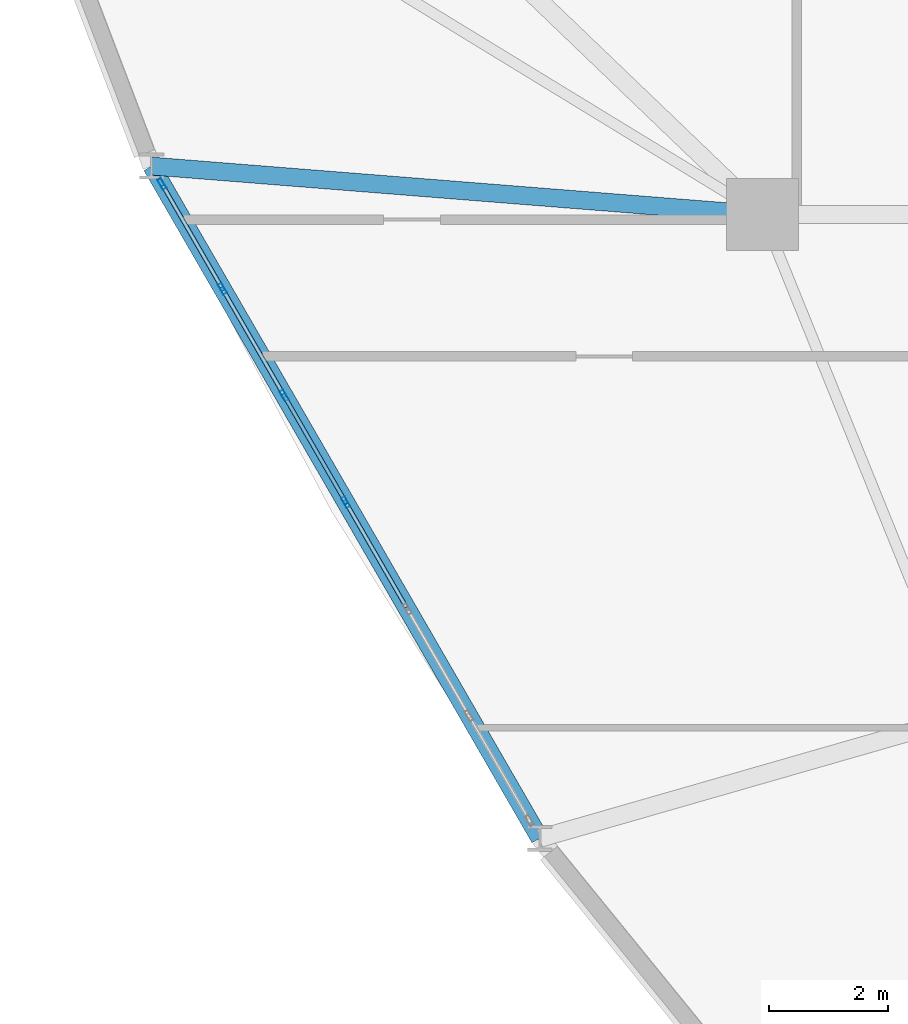
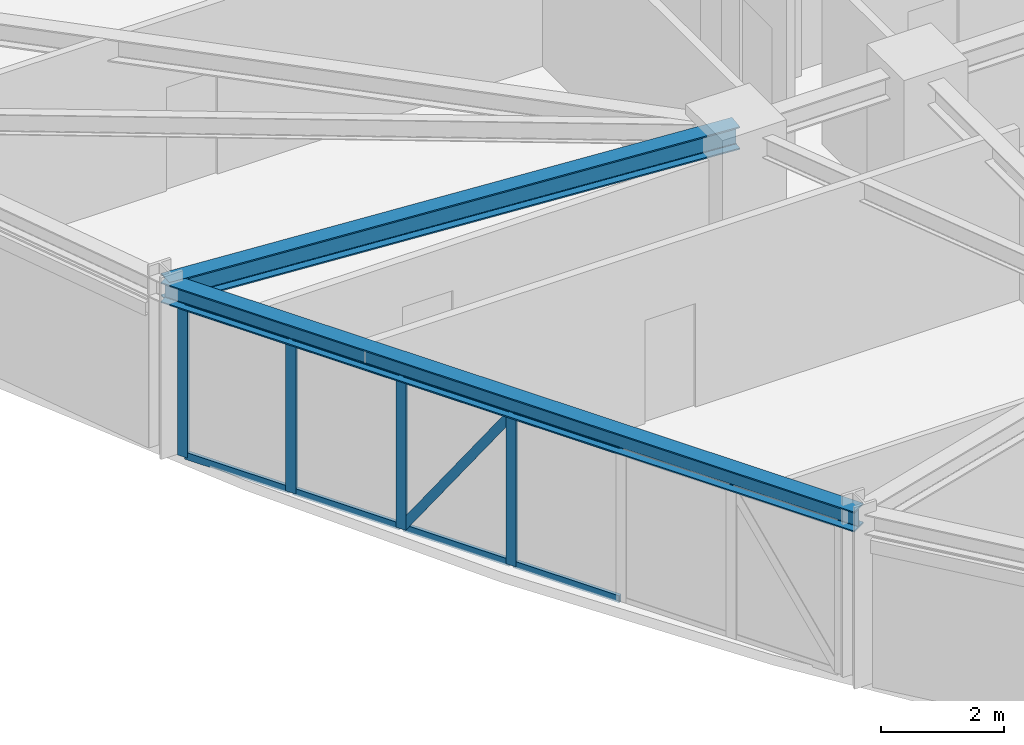
# One storey, part 4 of 15: 13 members, 2 beams, 1 element without a shape of its own.
"""IFC4 building model written with IfcOpenShell, lengths in metres."""

from ifc_helpers import new_model, si_unit, derived_unit, direction, frame, origin, origin_2d, place, context, subcontext, project, spatial, hollow_rectangle, i_section, extrude, source, transform, mapped, material, layer, layer_set, material_profile, profile_set, type_object, element, aggregate, save


model = new_model("IFC4")

# Units and contexts
model_context = context("Model", 3, precision=1e-05, world=origin(), true_north=direction((0.0, 1.0)))
body_context = subcontext(model_context, "Body", "Model", "MODEL_VIEW")
ifc_project = project(units=[si_unit("LENGTHUNIT", "METRE"), si_unit("AREAUNIT", "SQUARE_METRE"), si_unit("VOLUMEUNIT", "CUBIC_METRE"), si_unit("PLANEANGLEUNIT", "RADIAN"), si_unit("MASSUNIT", "GRAM", prefix="KILO"), derived_unit("THERMALTRANSMITTANCEUNIT", [(si_unit("POWERUNIT", "WATT"), 1), (si_unit("LENGTHUNIT", "METRE"), -2), (si_unit("THERMODYNAMICTEMPERATUREUNIT", "KELVIN"), -1)])], contexts=[model_context])

# Site, building, storey
site_placement = place(None, origin())
site = spatial("IfcSite", under=ifc_project, at=site_placement, CompositionType="ELEMENT")
building_placement = place(site_placement, origin())
building = spatial("IfcBuilding", under=site, at=building_placement, Name="Korsvarv Bourse and Concert Hall", CompositionType="ELEMENT")
storey_placement = place(building_placement, frame((0.0, 0.0, 147.0)))
storey = spatial("IfcBuildingStorey", under=building, at=storey_placement, Name="L37", CompositionType="ELEMENT", Elevation=147.0)

# Beams
ifc_material_1 = material(Name="Steel S355", Category="steel")
ifc_material_profile_1 = material_profile(ifc_material_1, i_section(OverallWidth=0.300048828125, OverallDepth=0.39990234375, WebThickness=0.013427734375, FlangeThickness=0.02392578125, FilletRadius=0.02099609375, at=origin_2d()), Name="HEB 400")
ifc_profile_set_1 = profile_set([ifc_material_profile_1], Name="Steel S355")
beam_type_1 = type_object("IfcBeamType", Name="BM-HEB400", PredefinedType="SPANDREL", material=ifc_profile_set_1)
shared_shape_1 = source(origin(), body_context, "Body", "SweptSolid", [
    extrude(i_section(OverallWidth=0.300048828125, OverallDepth=0.39990234375, WebThickness=0.013427734375, FlangeThickness=0.02392578125, FilletRadius=0.02099609375, at=origin_2d()), origin(), (0.0, 0.0, 1.0), 13.001708984375),
])
beam_1_placement = place(storey_placement, frame((13.96875, 33.211669921875, 3.199951171875), z_axis=(0.499994445327, -0.866028610752, 0.0), x_axis=(0.866028610752, 0.499994445327, 0.0)))
element("IfcBeam", 1, at=beam_1_placement, inside=storey, type_object=beam_type_1, Name="L37 beam B-09", PredefinedType="SPANDREL", context=body_context, shape_type="MappedRepresentation", body=[
    mapped(shared_shape_1, transform((0.0, 0.0, 0.0), scale=1.0)),
])
ifc_material_profile_2 = material_profile(ifc_material_1, i_section(OverallWidth=0.300048828125, OverallDepth=0.449951171875, WebThickness=0.013916015625, FlangeThickness=0.02587890625, FilletRadius=0.02099609375, at=origin_2d()), Name="HEB 450")
ifc_profile_set_2 = profile_set([ifc_material_profile_2], Name="Steel S355")
beam_type_2 = type_object("IfcBeamType", Name="BM-HEB450", PredefinedType="SPANDREL", material=ifc_profile_set_2)
shared_shape_2 = source(origin(), body_context, "Body", "SweptSolid", [
    extrude(i_section(OverallWidth=0.300048828125, OverallDepth=0.449951171875, WebThickness=0.013916015625, FlangeThickness=0.02587890625, FilletRadius=0.02099609375, at=origin_2d()), origin(), (0.0, 0.0, 1.0), 10.263427734375),
])
beam_2_placement = place(storey_placement, frame((13.96875, 33.211669921875, 3.175048828125), z_axis=(0.996867179073, -0.079093787921, 0.0), x_axis=(0.079093787921, 0.996867179073, 0.0)))
element("IfcBeam", 2, at=beam_2_placement, inside=storey, type_object=beam_type_2, Name="L37 beam B-08", PredefinedType="SPANDREL", context=body_context, shape_type="MappedRepresentation", body=[
    mapped(shared_shape_2, transform((0.0, 0.0, 0.0), scale=1.0)),
])

# Curtain wall, members
ifc_material_2 = material(Name="Anodised aluminium and triple low-E glazing", Category="glass")
ifc_layer = layer(ifc_material_2, 0.2099609375)
ifc_layer_set = layer_set([ifc_layer], Name="Anodised aluminium and triple low-E glazing")
curtain_wall_type = type_object("IfcCurtainWallType", Name="CW-SYS-2", PredefinedType="NOTDEFINED", material=ifc_layer_set)
curtain_wall_placement = place(storey_placement, origin())
curtain_wall = element("IfcCurtainWall", 3, at=curtain_wall_placement, inside=storey, type_object=curtain_wall_type, Name="L37 CW2 curtain wall CW-L37-F07", PredefinedType="NOTDEFINED")
ifc_material_3 = material(Name="Extruded aluminium EN AW-6063 T66", Category="aluminium")
ifc_material_profile_3 = material_profile(ifc_material_3, hollow_rectangle(XDim=0.070068359375, YDim=0.18994140625, WallThickness=0.0048828125, at=origin_2d()), Name="ALU-M 70x190")
ifc_profile_set_3 = profile_set([ifc_material_profile_3], Name="Extruded aluminium EN AW-6063 T66")
member_type_1 = type_object("IfcMemberType", Name="CWM-190", PredefinedType="MULLION", material=ifc_profile_set_3)
shared_shape_3 = source(origin(), body_context, "Body", "SweptSolid", [
    extrude(hollow_rectangle(XDim=0.070068359375, YDim=0.18994140625, WallThickness=0.0048828125, at=origin_2d()), origin(), (0.0, 0.0, 1.0), 3.0),
])
member_1_placement = place(storey_placement, frame((14.140625, 32.913818359375, 0.0), z_axis=(0.0, 0.0, 1.0), x_axis=(0.866022202013, 0.500005545591, 0.0)))
member_1 = element("IfcMember", 4, at=member_1_placement, type_object=member_type_1, Name="CW2 mullion 1", PredefinedType="MULLION", context=body_context, shape_type="MappedRepresentation", body=[
    mapped(shared_shape_3, transform((0.0, 0.0, 0.0), scale=1.0)),
])
member_2_placement = place(storey_placement, frame((15.1552734375, 31.15673828125, 0.0), z_axis=(0.0, 0.0, 1.0), x_axis=(0.866022202013, 0.500005545591, 0.0)))
member_2 = element("IfcMember", 5, at=member_2_placement, type_object=member_type_1, Name="CW2 mullion 2", PredefinedType="MULLION", context=body_context, shape_type="MappedRepresentation", body=[
    mapped(shared_shape_3, transform((0.0, 0.0, 0.0), scale=1.0)),
])
member_3_placement = place(storey_placement, frame((16.187255859375, 29.369140625, 0.0), z_axis=(0.0, 0.0, 1.0), x_axis=(0.866022202013, 0.500005545591, 0.0)))
member_3 = element("IfcMember", 6, at=member_3_placement, type_object=member_type_1, Name="CW2 mullion 3", PredefinedType="MULLION", context=body_context, shape_type="MappedRepresentation", body=[
    mapped(shared_shape_3, transform((0.0, 0.0, 0.0), scale=1.0)),
])
member_4_placement = place(storey_placement, frame((17.21923828125, 27.581787109375, 0.0), z_axis=(0.0, 0.0, 1.0), x_axis=(0.866022202013, 0.500005545591, 0.0)))
member_4 = element("IfcMember", 7, at=member_4_placement, type_object=member_type_1, Name="CW2 mullion 4", PredefinedType="MULLION", context=body_context, shape_type="MappedRepresentation", body=[
    mapped(shared_shape_3, transform((0.0, 0.0, 0.0), scale=1.0)),
])
ifc_material_profile_4 = material_profile(ifc_material_3, hollow_rectangle(XDim=0.06494140625, YDim=0.139892578125, WallThickness=0.00390625, at=origin_2d()), Name="ALU-T 65x140")
ifc_profile_set_4 = profile_set([ifc_material_profile_4], Name="Extruded aluminium EN AW-6063 T66")
member_type_2 = type_object("IfcMemberType", Name="CWT-140", PredefinedType="USERDEFINED", material=ifc_profile_set_4)
shared_shape_4 = source(origin(), body_context, "Body", "SweptSolid", [
    extrude(hollow_rectangle(XDim=0.06494140625, YDim=0.139892578125, WallThickness=0.00390625, at=origin_2d()), origin(), (0.0, 0.0, 1.0), 1.958984375),
])
member_5_placement = place(storey_placement, frame((14.158203125, 32.883544921875, 0.032470703125), z_axis=(0.499999343788, -0.866025782648, 0.0), x_axis=(0.866025782648, 0.499999343788, 0.0)))
member_5 = element("IfcMember", 8, at=member_5_placement, type_object=member_type_2, Name="CW2 transom 1.1", ObjectType="TRANSOM", PredefinedType="USERDEFINED", context=body_context, shape_type="MappedRepresentation", body=[
    mapped(shared_shape_4, transform((0.0, 0.0, 0.0), scale=1.0)),
])
member_6_placement = place(storey_placement, frame((14.158203125, 32.883544921875, 2.967529296875), z_axis=(0.499999343788, -0.866025782648, 0.0), x_axis=(0.866025782648, 0.499999343788, 0.0)))
member_6 = element("IfcMember", 9, at=member_6_placement, type_object=member_type_2, Name="CW2 transom 1.2", ObjectType="TRANSOM", PredefinedType="USERDEFINED", context=body_context, shape_type="MappedRepresentation", body=[
    mapped(shared_shape_4, transform((0.0, 0.0, 0.0), scale=1.0)),
])
shared_shape_5 = source(origin(), body_context, "Body", "SweptSolid", [
    extrude(hollow_rectangle(XDim=0.06494140625, YDim=0.139892578125, WallThickness=0.00390625, at=origin_2d()), origin(), (0.0, 0.0, 1.0), 1.993896484375),
])
member_7_placement = place(storey_placement, frame((15.172607421875, 31.126220703125, 0.032470703125), z_axis=(0.500036872922, -0.866004114147, 0.0), x_axis=(0.866004114147, 0.500036872922, 0.0)))
member_7 = element("IfcMember", 10, at=member_7_placement, type_object=member_type_2, Name="CW2 transom 2.1", ObjectType="TRANSOM", PredefinedType="USERDEFINED", context=body_context, shape_type="MappedRepresentation", body=[
    mapped(shared_shape_5, transform((0.0, 0.0, 0.0), scale=1.0)),
])
member_8_placement = place(storey_placement, frame((15.172607421875, 31.126220703125, 2.967529296875), z_axis=(0.500036872922, -0.866004114147, 0.0), x_axis=(0.866004114147, 0.500036872922, 0.0)))
member_8 = element("IfcMember", 11, at=member_8_placement, type_object=member_type_2, Name="CW2 transom 2.2", ObjectType="TRANSOM", PredefinedType="USERDEFINED", context=body_context, shape_type="MappedRepresentation", body=[
    mapped(shared_shape_5, transform((0.0, 0.0, 0.0), scale=1.0)),
])
member_9_placement = place(storey_placement, frame((16.20458984375, 29.3388671875, 0.032470703125), z_axis=(0.500036872922, -0.866004114147, 0.0), x_axis=(0.866004114147, 0.500036872922, 0.0)))
member_9 = element("IfcMember", 12, at=member_9_placement, type_object=member_type_2, Name="CW2 transom 3.1", ObjectType="TRANSOM", PredefinedType="USERDEFINED", context=body_context, shape_type="MappedRepresentation", body=[
    mapped(shared_shape_5, transform((0.0, 0.0, 0.0), scale=1.0)),
])
member_10_placement = place(storey_placement, frame((16.20458984375, 29.3388671875, 2.967529296875), z_axis=(0.500036872922, -0.866004114147, 0.0), x_axis=(0.866004114147, 0.500036872922, 0.0)))
member_10 = element("IfcMember", 13, at=member_10_placement, type_object=member_type_2, Name="CW2 transom 3.2", ObjectType="TRANSOM", PredefinedType="USERDEFINED", context=body_context, shape_type="MappedRepresentation", body=[
    mapped(shared_shape_5, transform((0.0, 0.0, 0.0), scale=1.0)),
])
member_11_placement = place(storey_placement, frame((17.23681640625, 27.551513671875, 0.032470703125), z_axis=(0.499945040489, -0.866057132348, 0.0), x_axis=(0.866057132348, 0.499945040489, 0.0)))
member_11 = element("IfcMember", 14, at=member_11_placement, type_object=member_type_2, Name="CW2 transom 4.1", ObjectType="TRANSOM", PredefinedType="USERDEFINED", context=body_context, shape_type="MappedRepresentation", body=[
    mapped(shared_shape_5, transform((0.0, 0.0, 0.0), scale=1.0)),
])
member_12_placement = place(storey_placement, frame((17.23681640625, 27.551513671875, 2.967529296875), z_axis=(0.499945040489, -0.866057132348, 0.0), x_axis=(0.866057132348, 0.499945040489, 0.0)))
member_12 = element("IfcMember", 15, at=member_12_placement, type_object=member_type_2, Name="CW2 transom 4.2", ObjectType="TRANSOM", PredefinedType="USERDEFINED", context=body_context, shape_type="MappedRepresentation", body=[
    mapped(shared_shape_5, transform((0.0, 0.0, 0.0), scale=1.0)),
])
ifc_material_profile_5 = material_profile(ifc_material_3, hollow_rectangle(XDim=0.06494140625, YDim=0.1650390625, WallThickness=0.0048828125, at=origin_2d()), Name="ALU-M 65x165")
ifc_profile_set_5 = profile_set([ifc_material_profile_5], Name="Extruded aluminium EN AW-6063 T66")
member_type_3 = type_object("IfcMemberType", Name="CWM-165", PredefinedType="MULLION", material=ifc_profile_set_5)
shared_shape_6 = source(origin(), body_context, "Body", "SweptSolid", [
    extrude(hollow_rectangle(XDim=0.06494140625, YDim=0.1650390625, WallThickness=0.0048828125, at=origin_2d()), origin(), (0.0, 0.0, 1.0), 3.494873046875),
])
member_13_placement = place(storey_placement, frame((16.20458984375, 29.3388671875, 0.06494140625), z_axis=(0.285301621838, -0.494108318134, 0.821255109286), x_axis=(0.866004114147, 0.500036872922, 0.0)))
member_13 = element("IfcMember", 16, at=member_13_placement, type_object=member_type_3, Name="CW2 diagonal mullion 3", PredefinedType="MULLION", context=body_context, shape_type="MappedRepresentation", body=[
    mapped(shared_shape_6, transform((0.0, 0.0, 0.0), scale=1.0)),
])
aggregate(curtain_wall, [member_1, member_2, member_3, member_4, member_5, member_6, member_7, member_8, member_9, member_10, member_13, member_11, member_12])

save(model, "model.ifc")
